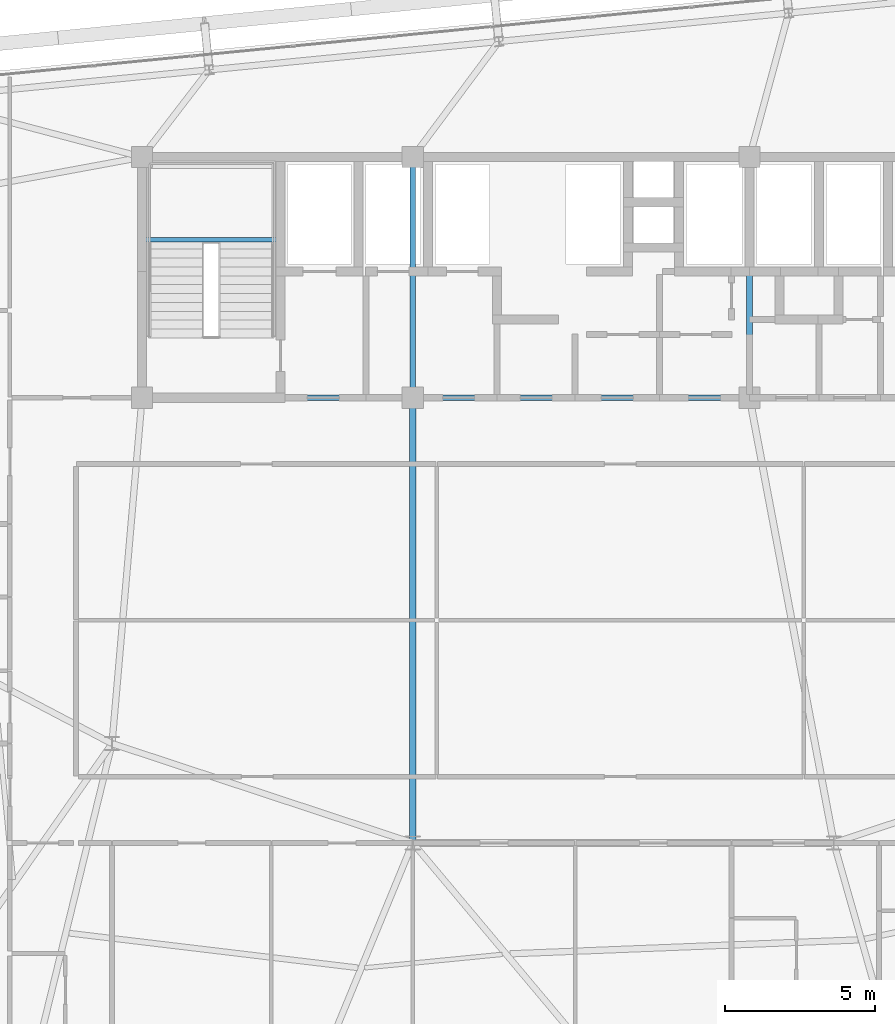
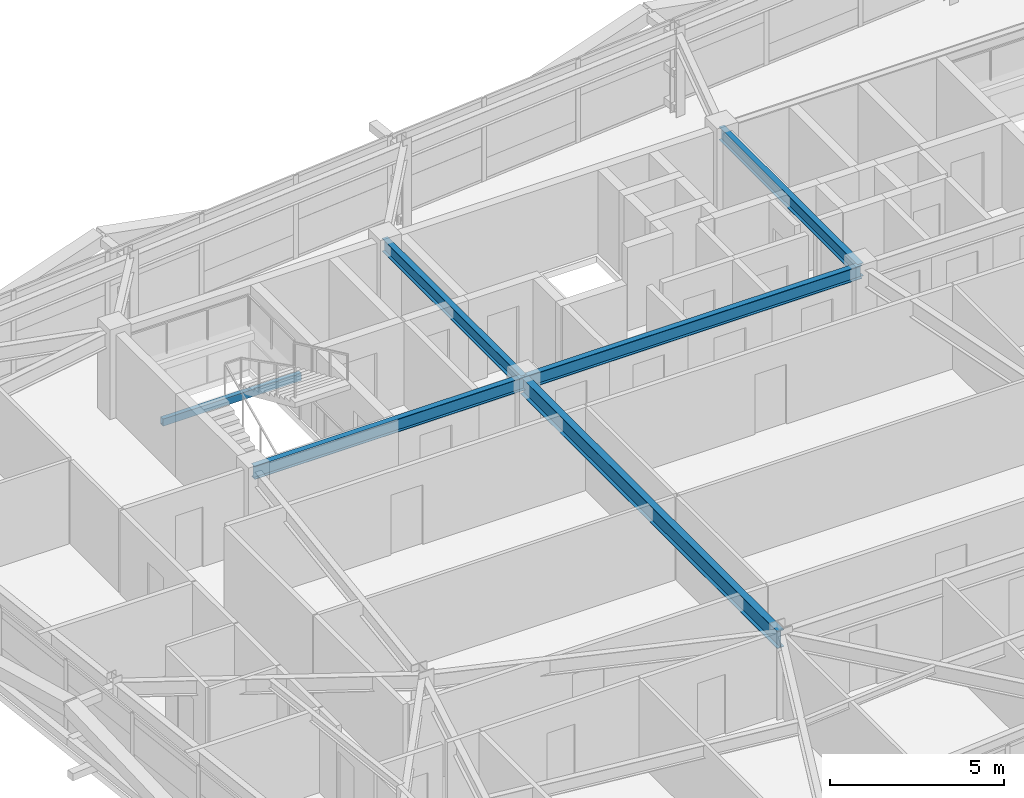
# One storey, part 16 of 54: 6 beams.
"""IFC4 building model written with IfcOpenShell, lengths in metres."""

from ifc_helpers import new_model, si_unit, direction, frame, origin, origin_2d, place, context, subcontext, project, spatial, hollow_rectangle, i_section, extrude, source, transform, mapped, material, material_profile, profile_set, type_object, element, save


model = new_model("IFC4")

# Units and contexts
model_context = context("Model", 3, precision=1e-05, world=origin(), true_north=direction((0.0, 1.0)))
body_context = subcontext(model_context, "Body", "Model", "MODEL_VIEW")
ifc_project = project(units=[si_unit("LENGTHUNIT", "METRE"), si_unit("AREAUNIT", "SQUARE_METRE"), si_unit("VOLUMEUNIT", "CUBIC_METRE"), si_unit("PLANEANGLEUNIT", "RADIAN"), si_unit("MASSUNIT", "GRAM", prefix="KILO")], contexts=[model_context])

# Site, building, storey
site_placement = place(None, origin())
site = spatial("IfcSite", under=ifc_project, at=site_placement, CompositionType="ELEMENT")
building_placement = place(site_placement, origin())
building = spatial("IfcBuilding", under=site, at=building_placement, Name="Taldren Reach Tower", CompositionType="ELEMENT")
storey_placement = place(building_placement, frame((0.0, 0.0, 99.75)))
storey = spatial("IfcBuildingStorey", under=building, at=storey_placement, Name="L30", CompositionType="ELEMENT", Elevation=99.75)

# Beams
ifc_material_1 = material(Name="Steel Gr 350 (350PLUS)", Category="steel")
ifc_material_profile_1 = material_profile(ifc_material_1, i_section(OverallWidth=0.19091796875, OverallDepth=0.4599609375, WebThickness=0.010009765625, FlangeThickness=0.01611328125, at=origin_2d()), Name="460UB82.1")
ifc_profile_set_1 = profile_set([ifc_material_profile_1], Name="Steel Gr 350 (350PLUS)")
beam_type_1 = type_object("IfcBeamType", Name="BM-UB460A", PredefinedType="BEAM", material=ifc_profile_set_1)
shared_shape_1 = source(origin(), body_context, "Body", "SweptSolid", [
    extrude(i_section(OverallWidth=0.19091796875, OverallDepth=0.4599609375, WebThickness=0.010009765625, FlangeThickness=0.01611328125, at=origin_2d()), origin(), (0.0, 0.0, 1.0), 9.0),
])
beam_1_placement = place(storey_placement, frame((19.0, 24.0, 2.699951171875), z_axis=(1.0, 0.0, 0.0), x_axis=(0.0, 1.0, 0.0)))
element("IfcBeam", 1, at=beam_1_placement, inside=storey, type_object=beam_type_1, Name="Core-spine girder L30-SP01", PredefinedType="BEAM", context=body_context, shape_type="MappedRepresentation", body=[
    mapped(shared_shape_1, transform((0.0, 0.0, 0.0), scale=1.0)),
])
shared_shape_2 = source(origin(), body_context, "Body", "SweptSolid", [
    extrude(i_section(OverallWidth=0.19091796875, OverallDepth=0.4599609375, WebThickness=0.010009765625, FlangeThickness=0.01611328125, at=origin_2d()), origin(), (0.0, 0.0, 1.0), 11.199951171875),
])
beam_2_placement = place(storey_placement, frame((28.0, 24.0, 2.699951171875), z_axis=(1.0, 0.0, 0.0), x_axis=(0.0, 1.0, 0.0)))
element("IfcBeam", 2, at=beam_2_placement, inside=storey, type_object=beam_type_1, Name="Core-spine girder L30-SP02", PredefinedType="BEAM", context=body_context, shape_type="MappedRepresentation", body=[
    mapped(shared_shape_2, transform((0.0, 0.0, 0.0), scale=1.0)),
])
shared_shape_3 = source(origin(), body_context, "Body", "SweptSolid", [
    extrude(i_section(OverallWidth=0.19091796875, OverallDepth=0.4599609375, WebThickness=0.010009765625, FlangeThickness=0.01611328125, at=origin_2d()), origin(), (0.0, 0.0, 1.0), 8.0),
])
for number, where, z_axis, x_axis, name in (
    (3, (28.0, 24.0, 2.699951171875), (0.0, 1.0, 0.0), (-1.0, 0.0, 0.0), "Core-spine girder L30-SP07"),
    (4, (39.199951171875, 24.0, 2.699951171875), (0.0, 1.0, 0.0), (-1.0, 0.0, 0.0), "Core-spine girder L30-SP08"),
):
    element("IfcBeam", number, at=place(storey_placement, frame(where, z_axis=z_axis, x_axis=x_axis)), inside=storey, type_object=beam_type_1, Name=name, PredefinedType="BEAM", context=body_context, shape_type="MappedRepresentation", body=[
        mapped(shared_shape_3, transform((0.0, 0.0, 0.0), scale=1.0)),
    ])
ifc_material_profile_2 = material_profile(ifc_material_1, i_section(OverallWidth=0.22802734375, OverallDepth=0.60205078125, WebThickness=0.010498046875, FlangeThickness=0.014892578125, at=origin_2d()), Name="610UB101")
ifc_profile_set_2 = profile_set([ifc_material_profile_2], Name="Steel Gr 350 (350PLUS)")
beam_type_2 = type_object("IfcBeamType", Name="BM-UB610B", PredefinedType="BEAM", material=ifc_profile_set_2)
shared_shape_4 = source(origin(), body_context, "Body", "SweptSolid", [
    extrude(i_section(OverallWidth=0.22802734375, OverallDepth=0.60205078125, WebThickness=0.010498046875, FlangeThickness=0.014892578125, at=origin_2d()), origin(), (0.0, 0.0, 1.0), 14.800048828125),
])
beam_3_placement = place(storey_placement, frame((28.0, 24.0, 2.62890625), z_axis=(0.0, -1.0, 0.0), x_axis=(1.0, 0.0, 0.0)))
element("IfcBeam", 5, at=beam_3_placement, inside=storey, type_object=beam_type_2, Name="Core-spine girder L30-SP14", PredefinedType="BEAM", context=body_context, shape_type="MappedRepresentation", body=[
    mapped(shared_shape_4, transform((0.0, 0.0, 0.0), scale=1.0)),
])
ifc_material_2 = material(Name="Steel Gr 350 (C350L0)", Category="steel")
ifc_material_profile_3 = material_profile(ifc_material_2, hollow_rectangle(XDim=0.14990234375, YDim=0.25, WallThickness=0.009033203125, at=origin_2d()), Name="250x150x9.0RHS")
ifc_profile_set_3 = profile_set([ifc_material_profile_3], Name="Steel Gr 350 (C350L0)")
beam_type_3 = type_object("IfcBeamType", Name="LN-RHS250", PredefinedType="LINTEL", material=ifc_profile_set_3)
shared_shape_5 = source(origin(), body_context, "Body", "SweptSolid", [
    extrude(hollow_rectangle(XDim=0.14990234375, YDim=0.25, WallThickness=0.009033203125, at=origin_2d()), origin(), (0.0, 0.0, 1.0), 4.60009765625),
])
beam_4_placement = place(storey_placement, frame((19.0, 29.2548828125, 1.27001953125), z_axis=(1.0, 0.0, 0.0), x_axis=(0.0, 1.0, 0.0)))
element("IfcBeam", 6, at=beam_4_placement, inside=storey, type_object=beam_type_3, Name="Stair half-landing support beam ST1-L30-1", PredefinedType="LINTEL", context=body_context, shape_type="MappedRepresentation", body=[
    mapped(shared_shape_5, transform((0.0, 0.0, 0.0), scale=1.0)),
])

save(model, "model.ifc")
